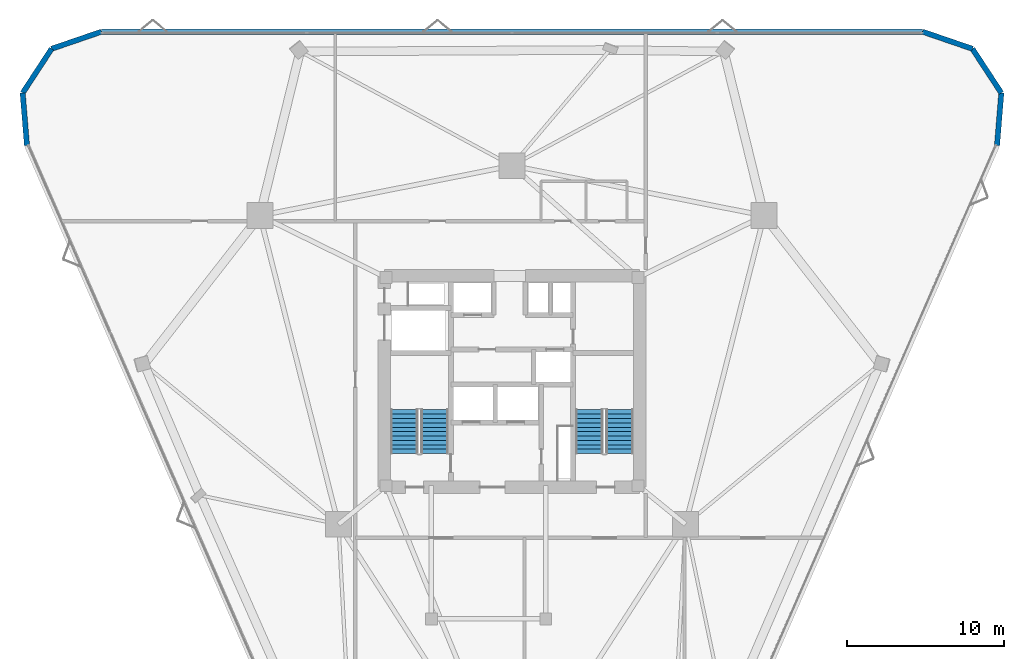
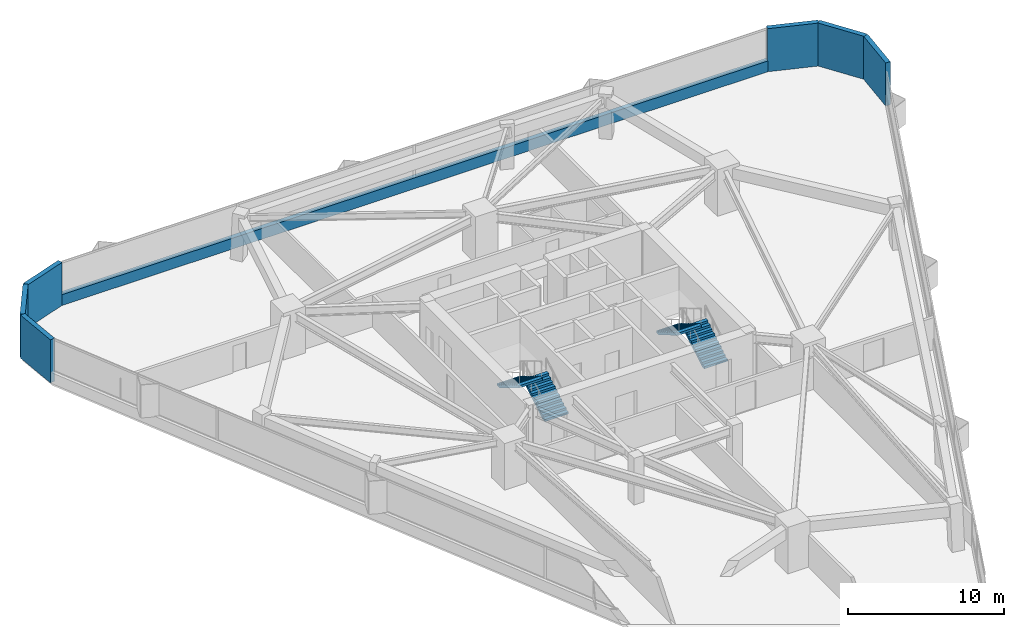
# One storey, part 16 of 17: 7 walls, 4 stair flights, 2 elements without a shape of their own.
"""IFC4 building model written with IfcOpenShell, lengths in metres."""

from ifc_helpers import new_model, si_unit, direction, frame, frame_2d, origin, place, context, subcontext, project, spatial, polyline, rectangle, outline, extrude, material, layer, layer_set, type_object, element, aggregate, save


model = new_model("IFC4")

# Units and contexts
model_context = context("Model", 3, precision=1e-05, world=origin(), true_north=direction((0.0, 1.0)))
body_context = subcontext(model_context, "Body", "Model", "MODEL_VIEW")
ifc_project = project(units=[si_unit("LENGTHUNIT", "METRE"), si_unit("AREAUNIT", "SQUARE_METRE"), si_unit("VOLUMEUNIT", "CUBIC_METRE"), si_unit("PLANEANGLEUNIT", "RADIAN"), si_unit("MASSUNIT", "GRAM", prefix="KILO")], contexts=[model_context])

# Site, building, storey
site_placement = place(None, origin())
site = spatial("IfcSite", under=ifc_project, at=site_placement, CompositionType="ELEMENT")
building_placement = place(site_placement, origin())
building = spatial("IfcBuilding", under=site, at=building_placement, Name="Talyreon Biosciences Tower", CompositionType="ELEMENT")
storey_placement = place(building_placement, frame((0.0, 0.0, 93.25)))
storey = spatial("IfcBuildingStorey", under=building, at=storey_placement, Name="L24", CompositionType="ELEMENT", Elevation=93.25)

# Walls
ifc_material_1 = material(Name="Precast concrete C45/55", Category="concrete")
ifc_layer = layer(ifc_material_1, 0.340087890625)
ifc_layer_set = layer_set([ifc_layer], Name="Precast concrete C45/55")
wall_type = type_object("IfcWallType", Name="PrecastConcreteSpandrelWall_340", PredefinedType="STANDARD", material=ifc_layer_set)
wall_1_placement = place(storey_placement, frame((35.01611328125, 83.070556640625, 0.0), z_axis=(0.0, 0.0, 1.0), x_axis=(-0.08153066917, 0.996670833317, 0.0)))
element("IfcWall", 1, at=wall_1_placement, inside=storey, type_object=wall_type, Name="L24 Rounded-Corner Concrete Pier 01", PredefinedType="STANDARD", context=body_context, shape_type="SweptSolid", body=[
    extrude(rectangle(XDim=3.374755859375, YDim=0.340087890625, at=frame_2d((1.6875, 0.0))), origin(), (0.0, 0.0, 1.0), 3.375),
])
wall_2_placement = place(storey_placement, frame((34.740966796875, 86.43408203125, 0.0), z_axis=(0.0, 0.0, 1.0), x_axis=(0.547467638162, 0.83682685495, 0.0)))
element("IfcWall", 2, at=wall_2_placement, inside=storey, type_object=wall_type, Name="L24 Rounded-Corner Concrete Pier 02", PredefinedType="STANDARD", context=body_context, shape_type="SweptSolid", body=[
    extrude(rectangle(XDim=3.375, YDim=0.340087890625, at=frame_2d((1.6875, 0.0))), origin(), (0.0, 0.0, 1.0), 3.375),
])
wall_3_placement = place(storey_placement, frame((36.588623046875, 89.25830078125, 0.0), z_axis=(0.0, 0.0, 1.0), x_axis=(0.945876171039, 0.324527763157, 0.0)))
element("IfcWall", 3, at=wall_3_placement, inside=storey, type_object=wall_type, Name="L24 Rounded-Corner Concrete Pier 03", PredefinedType="STANDARD", context=body_context, shape_type="SweptSolid", body=[
    extrude(rectangle(XDim=3.374755859375, YDim=0.340087890625, at=frame_2d((1.6875, 0.0))), origin(), (0.0, 0.0, 1.0), 3.375),
])
wall_4_placement = place(storey_placement, frame((39.78076171875, 90.353515625, 0.0), z_axis=(0.0, 0.0, 1.0), x_axis=(1.0, 0.0, 0.0)))
element("IfcWall", 4, at=wall_4_placement, inside=storey, type_object=wall_type, Name="L24 Expressed Concrete Sill Wall 04", PredefinedType="STANDARD", context=body_context, shape_type="SweptSolid", body=[
    extrude(rectangle(XDim=52.4384765625, YDim=0.340087890625, at=frame_2d((26.21923828125, 0.0))), origin(), (0.0, 0.0, 1.0), 0.85009765625),
])
wall_5_placement = place(storey_placement, frame((92.21923828125, 90.353515625, 0.0), z_axis=(0.0, 0.0, 1.0), x_axis=(0.945876171039, -0.324527763157, 0.0)))
element("IfcWall", 5, at=wall_5_placement, inside=storey, type_object=wall_type, Name="L24 Rounded-Corner Concrete Pier 05", PredefinedType="STANDARD", context=body_context, shape_type="SweptSolid", body=[
    extrude(rectangle(XDim=3.374755859375, YDim=0.340087890625, at=frame_2d((1.6875, 0.0))), origin(), (0.0, 0.0, 1.0), 3.375),
])
wall_6_placement = place(storey_placement, frame((95.411376953125, 89.25830078125, 0.0), z_axis=(0.0, 0.0, 1.0), x_axis=(0.547467638162, -0.83682685495, 0.0)))
element("IfcWall", 6, at=wall_6_placement, inside=storey, type_object=wall_type, Name="L24 Rounded-Corner Concrete Pier 06", PredefinedType="STANDARD", context=body_context, shape_type="SweptSolid", body=[
    extrude(rectangle(XDim=3.375, YDim=0.340087890625, at=frame_2d((1.6875, 0.0))), origin(), (0.0, 0.0, 1.0), 3.375),
])
wall_7_placement = place(storey_placement, frame((97.259033203125, 86.43408203125, 0.0), z_axis=(0.0, 0.0, 1.0), x_axis=(-0.08153066917, -0.996670833317, 0.0)))
element("IfcWall", 7, at=wall_7_placement, inside=storey, type_object=wall_type, Name="L24 Rounded-Corner Concrete Pier 07", PredefinedType="STANDARD", context=body_context, shape_type="SweptSolid", body=[
    extrude(rectangle(XDim=3.374755859375, YDim=0.340087890625, at=frame_2d((1.6875, 0.0))), origin(), (0.0, 0.0, 1.0), 3.375),
])

# Stair, stair flights
ifc_material_2 = material(Name="Concrete C40/50", Category="concrete")
stair_type = type_object("IfcStairType", Name="DoglegEscapeStair_3650", PredefinedType="HALF_TURN_STAIR", material=ifc_material_2)
stair_1_placement = place(storey_placement, origin())
stair_1 = element("IfcStair", 8, at=stair_1_placement, inside=storey, type_object=stair_type, Name="L24 Core Escape Stair 1", PredefinedType="HALF_TURN_STAIR")
stair_flight_type = type_object("IfcStairFlightType", Name="PrecastStairFlight_3650", PredefinedType="STRAIGHT", material=ifc_material_2)
stair_flight_1_placement = place(storey_placement, frame((61.06005859375, 63.39990234375, 0.0), z_axis=(0.0, 0.0, 1.0), x_axis=(0.0, 1.0, 0.0)))
stair_flight_1 = element("IfcStairFlight", 9, at=stair_flight_1_placement, type_object=stair_flight_type, Name="ST-1 flight 1", NumberOfRisers=11, NumberOfTreads=10, PredefinedType="STRAIGHT", RiserHeight=0.165909091, TreadLength=0.28, context=body_context, shape_type="SweptSolid", body=[
    extrude(outline(polyline([(0.0, 0.0), (0.0, 0.166015625), (0.280029296875, 0.166015625), (0.280029296875, 0.331787109375), (0.56005859375, 0.331787109375), (0.56005859375, 0.497802734375), (0.840087890625, 0.497802734375), (0.840087890625, 0.66357421875), (1.1201171875, 0.66357421875), (1.1201171875, 0.82958984375), (1.39990234375, 0.82958984375), (1.39990234375, 0.995361328125), (1.679931640625, 0.995361328125), (1.679931640625, 1.161376953125), (1.9599609375, 1.161376953125), (1.9599609375, 1.327392578125), (2.239990234375, 1.327392578125), (2.239990234375, 1.4931640625), (2.52001953125, 1.4931640625), (2.52001953125, 1.6591796875), (2.800048828125, 1.6591796875), (2.800048828125, 1.824951171875), (2.800048828125, 1.48486328125), (0.2939453125, 0.0), (0.0, 0.0)])), frame((0.0, 0.8701171875, 0.0), z_axis=(0.0, -1.0, 0.0), x_axis=(1.0, 0.0, 0.0)), (0.0, 0.0, 1.0), 1.739990234375),
])
stair_flight_2_placement = place(storey_placement, frame((59.1201171875, 66.199951171875, 1.824951171875), z_axis=(0.0, 0.0, 1.0), x_axis=(0.0, -1.0, 0.0)))
stair_flight_2 = element("IfcStairFlight", 10, at=stair_flight_2_placement, type_object=stair_flight_type, Name="ST-1 flight 2", NumberOfRisers=11, NumberOfTreads=10, PredefinedType="STRAIGHT", RiserHeight=0.165909091, TreadLength=0.28, context=body_context, shape_type="SweptSolid", body=[
    extrude(outline(polyline([(0.0, 0.0), (0.0, 0.166015625), (0.280029296875, 0.166015625), (0.280029296875, 0.331787109375), (0.56005859375, 0.331787109375), (0.56005859375, 0.497802734375), (0.840087890625, 0.497802734375), (0.840087890625, 0.66357421875), (1.1201171875, 0.66357421875), (1.1201171875, 0.82958984375), (1.39990234375, 0.82958984375), (1.39990234375, 0.995361328125), (1.679931640625, 0.995361328125), (1.679931640625, 1.161376953125), (1.9599609375, 1.161376953125), (1.9599609375, 1.327392578125), (2.239990234375, 1.327392578125), (2.239990234375, 1.4931640625), (2.52001953125, 1.4931640625), (2.52001953125, 1.6591796875), (2.800048828125, 1.6591796875), (2.800048828125, 1.824951171875), (2.800048828125, 1.48486328125), (0.2939453125, 0.0), (0.0, 0.0)])), frame((0.0, 0.8701171875, 0.0), z_axis=(0.0, -1.0, 0.0), x_axis=(1.0, 0.0, 0.0)), (0.0, 0.0, 1.0), 1.739990234375),
])
aggregate(stair_1, [stair_flight_1, stair_flight_2])

stair_2_placement = place(storey_placement, origin())
stair_2 = element("IfcStair", 11, at=stair_2_placement, inside=storey, type_object=stair_type, Name="L24 Core Escape Stair 2", PredefinedType="HALF_TURN_STAIR")
stair_flight_3_placement = place(storey_placement, frame((72.8798828125, 63.39990234375, 0.0), z_axis=(0.0, 0.0, 1.0), x_axis=(0.0, 1.0, 0.0)))
stair_flight_3 = element("IfcStairFlight", 12, at=stair_flight_3_placement, type_object=stair_flight_type, Name="ST-2 flight 1", NumberOfRisers=11, NumberOfTreads=10, PredefinedType="STRAIGHT", RiserHeight=0.165909091, TreadLength=0.28, context=body_context, shape_type="SweptSolid", body=[
    extrude(outline(polyline([(0.0, 0.0), (0.0, 0.166015625), (0.280029296875, 0.166015625), (0.280029296875, 0.331787109375), (0.56005859375, 0.331787109375), (0.56005859375, 0.497802734375), (0.840087890625, 0.497802734375), (0.840087890625, 0.66357421875), (1.1201171875, 0.66357421875), (1.1201171875, 0.82958984375), (1.39990234375, 0.82958984375), (1.39990234375, 0.995361328125), (1.679931640625, 0.995361328125), (1.679931640625, 1.161376953125), (1.9599609375, 1.161376953125), (1.9599609375, 1.327392578125), (2.239990234375, 1.327392578125), (2.239990234375, 1.4931640625), (2.52001953125, 1.4931640625), (2.52001953125, 1.6591796875), (2.800048828125, 1.6591796875), (2.800048828125, 1.824951171875), (2.800048828125, 1.48486328125), (0.2939453125, 0.0), (0.0, 0.0)])), frame((0.0, 0.8701171875, 0.0), z_axis=(0.0, -1.0, 0.0), x_axis=(1.0, 0.0, 0.0)), (0.0, 0.0, 1.0), 1.739990234375),
])
stair_flight_4_placement = place(storey_placement, frame((70.93994140625, 66.199951171875, 1.824951171875), z_axis=(0.0, 0.0, 1.0), x_axis=(0.0, -1.0, 0.0)))
stair_flight_4 = element("IfcStairFlight", 13, at=stair_flight_4_placement, type_object=stair_flight_type, Name="ST-2 flight 2", NumberOfRisers=11, NumberOfTreads=10, PredefinedType="STRAIGHT", RiserHeight=0.165909091, TreadLength=0.28, context=body_context, shape_type="SweptSolid", body=[
    extrude(outline(polyline([(0.0, 0.0), (0.0, 0.166015625), (0.280029296875, 0.166015625), (0.280029296875, 0.331787109375), (0.56005859375, 0.331787109375), (0.56005859375, 0.497802734375), (0.840087890625, 0.497802734375), (0.840087890625, 0.66357421875), (1.1201171875, 0.66357421875), (1.1201171875, 0.82958984375), (1.39990234375, 0.82958984375), (1.39990234375, 0.995361328125), (1.679931640625, 0.995361328125), (1.679931640625, 1.161376953125), (1.9599609375, 1.161376953125), (1.9599609375, 1.327392578125), (2.239990234375, 1.327392578125), (2.239990234375, 1.4931640625), (2.52001953125, 1.4931640625), (2.52001953125, 1.6591796875), (2.800048828125, 1.6591796875), (2.800048828125, 1.824951171875), (2.800048828125, 1.48486328125), (0.2939453125, 0.0), (0.0, 0.0)])), frame((0.0, 0.8701171875, 0.0), z_axis=(0.0, -1.0, 0.0), x_axis=(1.0, 0.0, 0.0)), (0.0, 0.0, 1.0), 1.739990234375),
])
aggregate(stair_2, [stair_flight_3, stair_flight_4])

save(model, "model.ifc")
